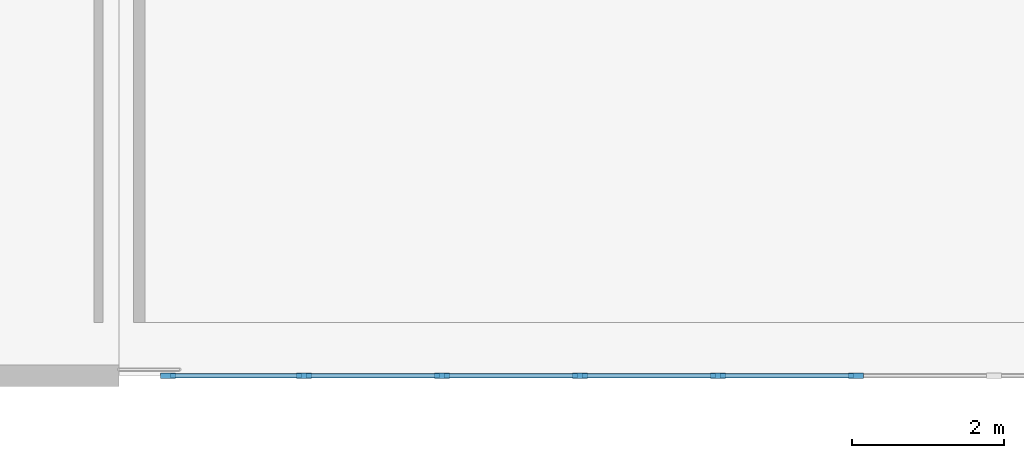
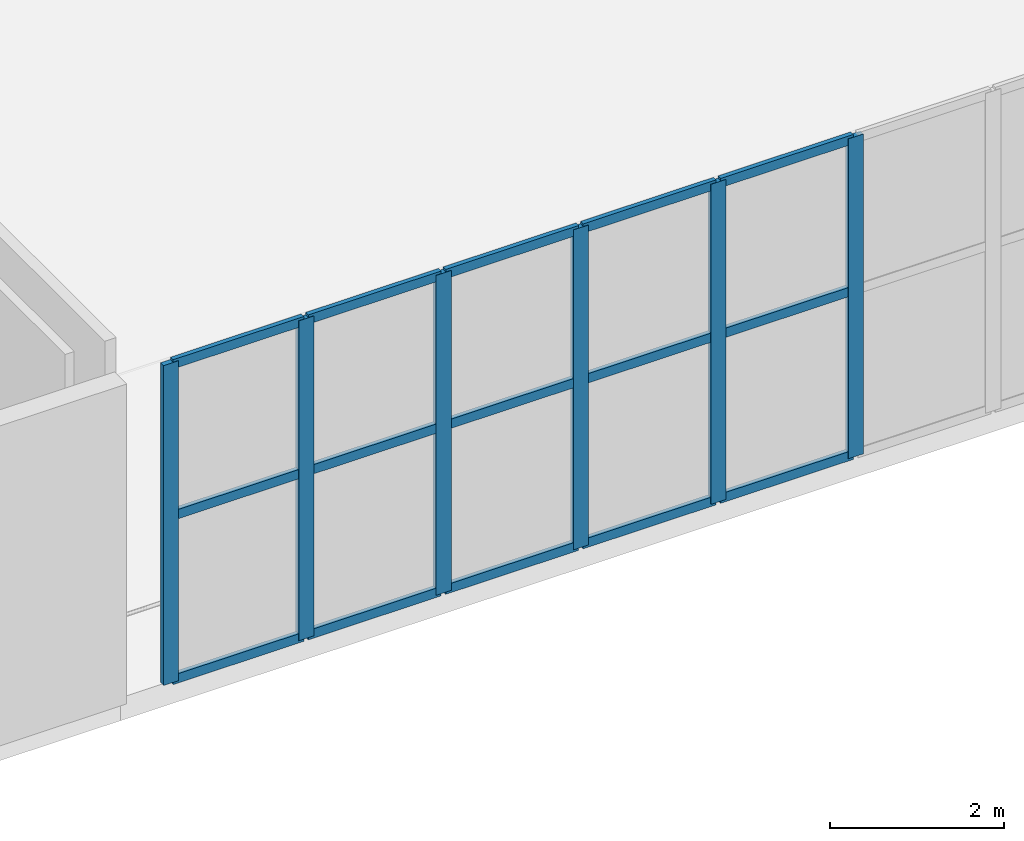
# One storey, part 24 of 129: 21 members, 1 element without a shape of its own.
"""IFC4 building model written with IfcOpenShell, lengths in metres."""

from ifc_helpers import new_model, si_unit, direction, frame, origin, origin_2d, place, context, subcontext, project, spatial, rectangle, extrude, material, material_profile, profile_set, type_object, element, aggregate, save


model = new_model("IFC4")

# Units and contexts
model_context = context("Model", 3, precision=1e-05, world=origin(), true_north=direction((0.0, 1.0)))
body_context = subcontext(model_context, "Body", "Model", "MODEL_VIEW")
ifc_project = project(units=[si_unit("LENGTHUNIT", "METRE"), si_unit("AREAUNIT", "SQUARE_METRE"), si_unit("VOLUMEUNIT", "CUBIC_METRE"), si_unit("PLANEANGLEUNIT", "RADIAN"), si_unit("MASSUNIT", "GRAM", prefix="KILO")], contexts=[model_context])

# Site, building, storey
site_placement = place(None, origin())
site = spatial("IfcSite", under=ifc_project, at=site_placement, CompositionType="ELEMENT")
building_placement = place(site_placement, origin())
building = spatial("IfcBuilding", under=site, at=building_placement, Name="Koshinbarg Plaza Stadium", CompositionType="ELEMENT")
storey_placement = place(building_placement, frame((0.0, 0.0, 5.39990234375)))
storey = spatial("IfcBuildingStorey", under=building, at=storey_placement, Name="L01", CompositionType="ELEMENT", Elevation=5.39990234375)

# Curtain wall, members
ifc_material_1 = material(Name="Thermally broken anodised aluminium and low-E double glazing", Category="aluminium")
curtain_wall_type = type_object("IfcCurtainWallType", Name="CW-SYS-16", PredefinedType="NOTDEFINED", material=ifc_material_1)
curtain_wall_placement = place(storey_placement, origin())
curtain_wall = element("IfcCurtainWall", 1, at=curtain_wall_placement, inside=storey, type_object=curtain_wall_type, Name="L01 unitised curtain wall CW-L01-031", PredefinedType="NOTDEFINED")
ifc_material_2 = material(Name="Anodised aluminium mullion", Category="aluminium")
ifc_material_profile_1 = material_profile(ifc_material_2, rectangle(XDim=0.070068359375, YDim=0.199951171875, at=origin_2d()), Name="ALU 70x200")
ifc_profile_set_1 = profile_set([ifc_material_profile_1], Name="Anodised aluminium mullion")
member_type_1 = type_object("IfcMemberType", Name="CW-MUL-04", PredefinedType="MULLION", material=ifc_profile_set_1)
member_1_placement = place(storey_placement, frame((131.719970703125, 0.0, 0.0), z_axis=(0.0, 0.0, 1.0), x_axis=(0.0, -1.0, 0.0)))
member_1 = element("IfcMember", 2, at=member_1_placement, type_object=member_type_1, Name="CW16 mullion 14", PredefinedType="MULLION", context=body_context, shape_type="SweptSolid", body=[
    extrude(rectangle(XDim=0.070068359375, YDim=0.199951171875, at=origin_2d()), origin(), (0.0, 0.0, 1.0), 4.47998046875),
])
member_2_placement = place(storey_placement, frame((129.89990234375, 0.0, 0.0), z_axis=(0.0, 0.0, 1.0), x_axis=(0.0, -1.0, 0.0)))
member_2 = element("IfcMember", 3, at=member_2_placement, type_object=member_type_1, Name="CW16 mullion 15", PredefinedType="MULLION", context=body_context, shape_type="SweptSolid", body=[
    extrude(rectangle(XDim=0.070068359375, YDim=0.199951171875, at=origin_2d()), origin(), (0.0, 0.0, 1.0), 4.47998046875),
])
member_3_placement = place(storey_placement, frame((128.080078125, 0.0, 0.0), z_axis=(0.0, 0.0, 1.0), x_axis=(0.0, -1.0, 0.0)))
member_3 = element("IfcMember", 4, at=member_3_placement, type_object=member_type_1, Name="CW16 mullion 16", PredefinedType="MULLION", context=body_context, shape_type="SweptSolid", body=[
    extrude(rectangle(XDim=0.070068359375, YDim=0.199951171875, at=origin_2d()), origin(), (0.0, 0.0, 1.0), 4.47998046875),
])
member_4_placement = place(storey_placement, frame((126.260009765625, 0.0, 0.0), z_axis=(0.0, 0.0, 1.0), x_axis=(0.0, -1.0, 0.0)))
member_4 = element("IfcMember", 5, at=member_4_placement, type_object=member_type_1, Name="CW16 mullion 17", PredefinedType="MULLION", context=body_context, shape_type="SweptSolid", body=[
    extrude(rectangle(XDim=0.070068359375, YDim=0.199951171875, at=origin_2d()), origin(), (0.0, 0.0, 1.0), 4.47998046875),
])
member_5_placement = place(storey_placement, frame((124.43994140625, 0.0, 0.0), z_axis=(0.0, 0.0, 1.0), x_axis=(0.0, -1.0, 0.0)))
member_5 = element("IfcMember", 6, at=member_5_placement, type_object=member_type_1, Name="CW16 mullion 18", PredefinedType="MULLION", context=body_context, shape_type="SweptSolid", body=[
    extrude(rectangle(XDim=0.070068359375, YDim=0.199951171875, at=origin_2d()), origin(), (0.0, 0.0, 1.0), 4.47998046875),
])
member_6_placement = place(storey_placement, frame((122.64990234375, 0.0, 0.0), z_axis=(0.0, 0.0, 1.0), x_axis=(0.0, -1.0, 0.0)))
member_6 = element("IfcMember", 7, at=member_6_placement, type_object=member_type_1, Name="CW16 mullion 19", PredefinedType="MULLION", context=body_context, shape_type="SweptSolid", body=[
    extrude(rectangle(XDim=0.070068359375, YDim=0.199951171875, at=origin_2d()), origin(), (0.0, 0.0, 1.0), 4.47998046875),
])
ifc_material_3 = material(Name="Anodised aluminium transom", Category="aluminium")
ifc_material_profile_2 = material_profile(ifc_material_3, rectangle(XDim=0.06005859375, YDim=0.1298828125, at=origin_2d()), Name="ALU 60x130")
ifc_profile_set_2 = profile_set([ifc_material_profile_2], Name="Anodised aluminium transom")
member_type_2 = type_object("IfcMemberType", Name="CW-TRN-02", PredefinedType="USERDEFINED", material=ifc_profile_set_2)
member_7_placement = place(storey_placement, frame((131.68994140625, 0.0, 0.030029296875), z_axis=(-1.0, 0.0, 0.0), x_axis=(0.0, -1.0, 0.0)))
member_7 = element("IfcMember", 8, at=member_7_placement, type_object=member_type_2, Name="CW16 transom 14.1", ObjectType="TRANSOM", PredefinedType="USERDEFINED", context=body_context, shape_type="SweptSolid", body=[
    extrude(rectangle(XDim=0.06005859375, YDim=0.1298828125, at=origin_2d()), origin(), (0.0, 0.0, 1.0), 1.760009765625),
])
member_8_placement = place(storey_placement, frame((131.68994140625, 0.0, 2.32958984375), z_axis=(-1.0, 0.0, 0.0), x_axis=(0.0, -1.0, 0.0)))
member_8 = element("IfcMember", 9, at=member_8_placement, type_object=member_type_2, Name="CW16 transom 14.2", ObjectType="TRANSOM", PredefinedType="USERDEFINED", context=body_context, shape_type="SweptSolid", body=[
    extrude(rectangle(XDim=0.06005859375, YDim=0.1298828125, at=origin_2d()), origin(), (0.0, 0.0, 1.0), 1.760009765625),
])
member_9_placement = place(storey_placement, frame((131.68994140625, 0.0, 4.4501953125), z_axis=(-1.0, 0.0, 0.0), x_axis=(0.0, -1.0, 0.0)))
member_9 = element("IfcMember", 10, at=member_9_placement, type_object=member_type_2, Name="CW16 transom 14.3", ObjectType="TRANSOM", PredefinedType="USERDEFINED", context=body_context, shape_type="SweptSolid", body=[
    extrude(rectangle(XDim=0.06005859375, YDim=0.1298828125, at=origin_2d()), origin(), (0.0, 0.0, 1.0), 1.760009765625),
])
member_10_placement = place(storey_placement, frame((129.8701171875, 0.0, 0.030029296875), z_axis=(-1.0, 0.0, 0.0), x_axis=(0.0, -1.0, 0.0)))
member_10 = element("IfcMember", 11, at=member_10_placement, type_object=member_type_2, Name="CW16 transom 15.1", ObjectType="TRANSOM", PredefinedType="USERDEFINED", context=body_context, shape_type="SweptSolid", body=[
    extrude(rectangle(XDim=0.06005859375, YDim=0.1298828125, at=origin_2d()), origin(), (0.0, 0.0, 1.0), 1.760009765625),
])
member_11_placement = place(storey_placement, frame((129.8701171875, 0.0, 2.32958984375), z_axis=(-1.0, 0.0, 0.0), x_axis=(0.0, -1.0, 0.0)))
member_11 = element("IfcMember", 12, at=member_11_placement, type_object=member_type_2, Name="CW16 transom 15.2", ObjectType="TRANSOM", PredefinedType="USERDEFINED", context=body_context, shape_type="SweptSolid", body=[
    extrude(rectangle(XDim=0.06005859375, YDim=0.1298828125, at=origin_2d()), origin(), (0.0, 0.0, 1.0), 1.760009765625),
])
member_12_placement = place(storey_placement, frame((129.8701171875, 0.0, 4.4501953125), z_axis=(-1.0, 0.0, 0.0), x_axis=(0.0, -1.0, 0.0)))
member_12 = element("IfcMember", 13, at=member_12_placement, type_object=member_type_2, Name="CW16 transom 15.3", ObjectType="TRANSOM", PredefinedType="USERDEFINED", context=body_context, shape_type="SweptSolid", body=[
    extrude(rectangle(XDim=0.06005859375, YDim=0.1298828125, at=origin_2d()), origin(), (0.0, 0.0, 1.0), 1.760009765625),
])
member_13_placement = place(storey_placement, frame((128.050048828125, 0.0, 0.030029296875), z_axis=(-1.0, 0.0, 0.0), x_axis=(0.0, -1.0, 0.0)))
member_13 = element("IfcMember", 14, at=member_13_placement, type_object=member_type_2, Name="CW16 transom 16.1", ObjectType="TRANSOM", PredefinedType="USERDEFINED", context=body_context, shape_type="SweptSolid", body=[
    extrude(rectangle(XDim=0.06005859375, YDim=0.1298828125, at=origin_2d()), origin(), (0.0, 0.0, 1.0), 1.760009765625),
])
member_14_placement = place(storey_placement, frame((128.050048828125, 0.0, 2.32958984375), z_axis=(-1.0, 0.0, 0.0), x_axis=(0.0, -1.0, 0.0)))
member_14 = element("IfcMember", 15, at=member_14_placement, type_object=member_type_2, Name="CW16 transom 16.2", ObjectType="TRANSOM", PredefinedType="USERDEFINED", context=body_context, shape_type="SweptSolid", body=[
    extrude(rectangle(XDim=0.06005859375, YDim=0.1298828125, at=origin_2d()), origin(), (0.0, 0.0, 1.0), 1.760009765625),
])
member_15_placement = place(storey_placement, frame((128.050048828125, 0.0, 4.4501953125), z_axis=(-1.0, 0.0, 0.0), x_axis=(0.0, -1.0, 0.0)))
member_15 = element("IfcMember", 16, at=member_15_placement, type_object=member_type_2, Name="CW16 transom 16.3", ObjectType="TRANSOM", PredefinedType="USERDEFINED", context=body_context, shape_type="SweptSolid", body=[
    extrude(rectangle(XDim=0.06005859375, YDim=0.1298828125, at=origin_2d()), origin(), (0.0, 0.0, 1.0), 1.760009765625),
])
member_16_placement = place(storey_placement, frame((126.22998046875, 0.0, 0.030029296875), z_axis=(-1.0, 0.0, 0.0), x_axis=(0.0, -1.0, 0.0)))
member_16 = element("IfcMember", 17, at=member_16_placement, type_object=member_type_2, Name="CW16 transom 17.1", ObjectType="TRANSOM", PredefinedType="USERDEFINED", context=body_context, shape_type="SweptSolid", body=[
    extrude(rectangle(XDim=0.06005859375, YDim=0.1298828125, at=origin_2d()), origin(), (0.0, 0.0, 1.0), 1.760009765625),
])
member_17_placement = place(storey_placement, frame((126.22998046875, 0.0, 2.32958984375), z_axis=(-1.0, 0.0, 0.0), x_axis=(0.0, -1.0, 0.0)))
member_17 = element("IfcMember", 18, at=member_17_placement, type_object=member_type_2, Name="CW16 transom 17.2", ObjectType="TRANSOM", PredefinedType="USERDEFINED", context=body_context, shape_type="SweptSolid", body=[
    extrude(rectangle(XDim=0.06005859375, YDim=0.1298828125, at=origin_2d()), origin(), (0.0, 0.0, 1.0), 1.760009765625),
])
member_18_placement = place(storey_placement, frame((126.22998046875, 0.0, 4.4501953125), z_axis=(-1.0, 0.0, 0.0), x_axis=(0.0, -1.0, 0.0)))
member_18 = element("IfcMember", 19, at=member_18_placement, type_object=member_type_2, Name="CW16 transom 17.3", ObjectType="TRANSOM", PredefinedType="USERDEFINED", context=body_context, shape_type="SweptSolid", body=[
    extrude(rectangle(XDim=0.06005859375, YDim=0.1298828125, at=origin_2d()), origin(), (0.0, 0.0, 1.0), 1.760009765625),
])
member_19_placement = place(storey_placement, frame((124.409912109375, 0.0, 0.030029296875), z_axis=(-1.0, 0.0, 0.0), x_axis=(0.0, -1.0, 0.0)))
member_19 = element("IfcMember", 20, at=member_19_placement, type_object=member_type_2, Name="CW16 transom 18.1", ObjectType="TRANSOM", PredefinedType="USERDEFINED", context=body_context, shape_type="SweptSolid", body=[
    extrude(rectangle(XDim=0.06005859375, YDim=0.1298828125, at=origin_2d()), origin(), (0.0, 0.0, 1.0), 1.72998046875),
])
member_20_placement = place(storey_placement, frame((124.409912109375, 0.0, 2.32958984375), z_axis=(-1.0, 0.0, 0.0), x_axis=(0.0, -1.0, 0.0)))
member_20 = element("IfcMember", 21, at=member_20_placement, type_object=member_type_2, Name="CW16 transom 18.2", ObjectType="TRANSOM", PredefinedType="USERDEFINED", context=body_context, shape_type="SweptSolid", body=[
    extrude(rectangle(XDim=0.06005859375, YDim=0.1298828125, at=origin_2d()), origin(), (0.0, 0.0, 1.0), 1.72998046875),
])
member_21_placement = place(storey_placement, frame((124.409912109375, 0.0, 4.4501953125), z_axis=(-1.0, 0.0, 0.0), x_axis=(0.0, -1.0, 0.0)))
member_21 = element("IfcMember", 22, at=member_21_placement, type_object=member_type_2, Name="CW16 transom 18.3", ObjectType="TRANSOM", PredefinedType="USERDEFINED", context=body_context, shape_type="SweptSolid", body=[
    extrude(rectangle(XDim=0.06005859375, YDim=0.1298828125, at=origin_2d()), origin(), (0.0, 0.0, 1.0), 1.72998046875),
])
aggregate(curtain_wall, [member_1, member_2, member_3, member_4, member_5, member_6, member_7, member_8, member_9, member_10, member_11, member_12, member_13, member_14, member_15, member_16, member_17, member_18, member_19, member_20, member_21])

save(model, "model.ifc")
